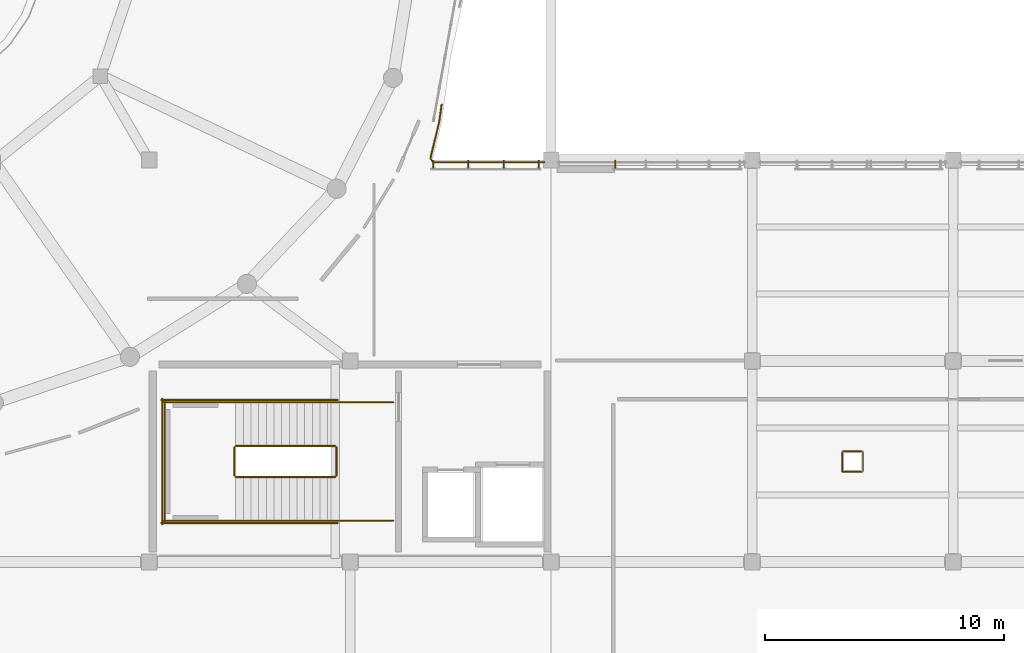
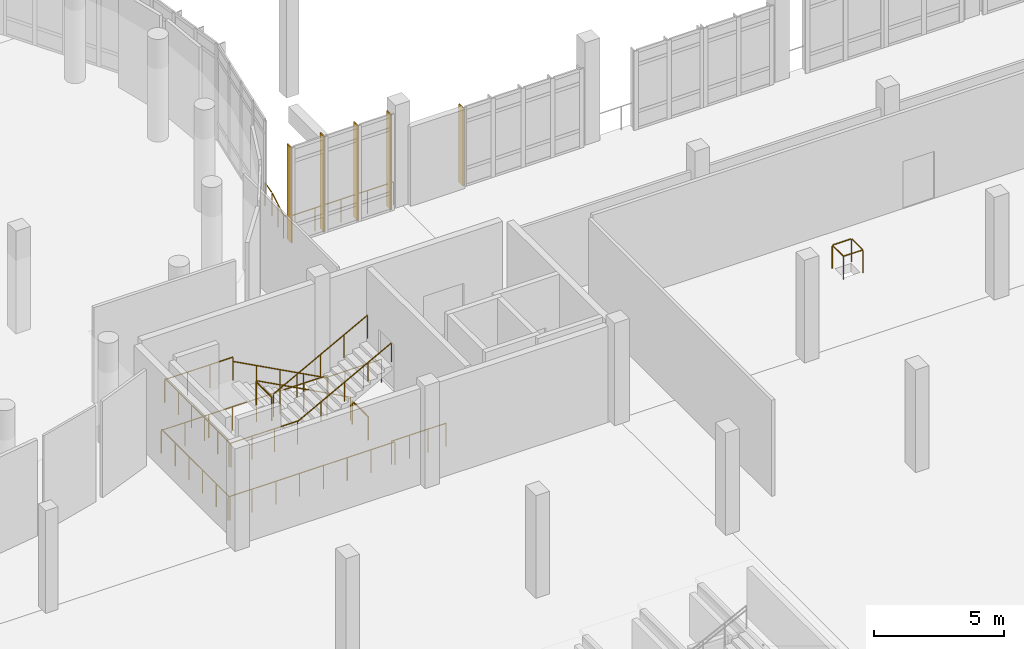
# One storey, part 53 of 63: 16 railings, 5 shading devices.
"""IFC4 building model written with IfcOpenShell, lengths in metres."""

from ifc_helpers import new_model, si_unit, derived_unit, direction, frame, origin, origin_2d, place, context, subcontext, project, spatial, rectangle, circle, extrude, material, type_object, element, save


model = new_model("IFC4")

# Units and contexts
model_context = context("Model", 3, precision=1e-05, world=origin(), true_north=direction((0.0, 1.0)))
body_context = subcontext(model_context, "Body", "Model", "MODEL_VIEW")
ifc_project = project(units=[si_unit("LENGTHUNIT", "METRE"), si_unit("AREAUNIT", "SQUARE_METRE"), si_unit("VOLUMEUNIT", "CUBIC_METRE"), si_unit("PLANEANGLEUNIT", "RADIAN"), si_unit("MASSUNIT", "GRAM", prefix="KILO"), derived_unit("THERMALTRANSMITTANCEUNIT", [(si_unit("POWERUNIT", "WATT"), 1), (si_unit("LENGTHUNIT", "METRE"), -2), (si_unit("THERMODYNAMICTEMPERATUREUNIT", "KELVIN"), -1)])], contexts=[model_context])

# Site, building, storey
site_placement = place(None, origin())
site = spatial("IfcSite", under=ifc_project, at=site_placement, CompositionType="ELEMENT")
building_placement = place(site_placement, origin())
building = spatial("IfcBuilding", under=site, at=building_placement, Name="Elbkamm Science Centre", CompositionType="ELEMENT")
storey_placement = place(building_placement, frame((0.0, 0.0, 5.10009765625)))
storey = spatial("IfcBuildingStorey", under=building, at=storey_placement, Name="L01", CompositionType="ELEMENT", Elevation=5.10009765625)

# Railings
ifc_material_1 = material(Name="Stainless steel EN 1.4401", Category="steel")
railing_type_1 = type_object("IfcRailingType", Name="RAIL-EXT-GUARD-1100", PredefinedType="GUARDRAIL", material=ifc_material_1)
railing_1_placement = place(storey_placement, frame((87.826416015625, 61.1162109375, 0.0)))
element("IfcRailing", 1, at=railing_1_placement, inside=storey, type_object=railing_type_1, Name="L01 Slab Edge Perimeter Guard 019", PredefinedType="GUARDRAIL", context=body_context, shape_type="SweptSolid", body=[
    extrude(circle(Radius=0.02392578125, at=origin_2d()), frame((0.0, 0.0, 1.078125), z_axis=(-0.138453374515, -0.99036895301, 0.0), x_axis=(0.99036895301, -0.138453374515, 0.0)), (0.0, 0.0, 1.0), 0.68408203125),
    extrude(circle(Radius=0.02392578125, at=origin_2d()), frame((-0.10595703125, -0.736328125, 1.078125), z_axis=(-0.234237744318, -0.97217934515, 0.0), x_axis=(0.97217934515, -0.234237744318, 0.0)), (0.0, 0.0, 1.0), 1.52001953125),
    extrude(circle(Radius=0.02392578125, at=origin_2d()), frame((-0.4521484375, -2.268310546875, 1.078125), z_axis=(0.559553272362, -0.828794386678, 0.0), x_axis=(0.828794386678, 0.559553272362, 0.0)), (0.0, 0.0, 1.0), 0.1484375),
    extrude(circle(Radius=0.02392578125, at=origin_2d()), frame((-0.322265625, -2.416259765625, 1.078125), z_axis=(1.0, 0.0, 0.0), x_axis=(0.0, 1.0, 0.0)), (0.0, 0.0, 1.0), 4.615966796875),
    extrude(circle(Radius=0.02001953125, at=origin_2d()), origin(), (0.0, 0.0, 1.0), 1.048095703125),
    extrude(circle(Radius=0.02001953125, at=origin_2d()), frame((-0.098876953125, -0.707275390625, 0.0)), (0.0, 0.0, 1.0), 1.048095703125),
    extrude(circle(Radius=0.02001953125, at=origin_2d()), frame((-0.283935546875, -1.475341796875, 0.0)), (0.0, 0.0, 1.0), 1.048095703125),
    extrude(circle(Radius=0.02001953125, at=origin_2d()), frame((-0.468994140625, -2.243408203125, 0.0)), (0.0, 0.0, 1.0), 1.048095703125),
    extrude(circle(Radius=0.02001953125, at=origin_2d()), frame((-0.352294921875, -2.416259765625, 0.0)), (0.0, 0.0, 1.0), 1.048095703125),
    extrude(circle(Radius=0.02001953125, at=origin_2d()), frame((0.80908203125, -2.416259765625, 0.0)), (0.0, 0.0, 1.0), 1.048095703125),
    extrude(circle(Radius=0.02001953125, at=origin_2d()), frame((1.970703125, -2.416259765625, 0.0)), (0.0, 0.0, 1.0), 1.048095703125),
    extrude(circle(Radius=0.02001953125, at=origin_2d()), frame((3.13232421875, -2.416259765625, 0.0)), (0.0, 0.0, 1.0), 1.048095703125),
    extrude(circle(Radius=0.02001953125, at=origin_2d()), frame((4.293701171875, -2.416259765625, 0.0)), (0.0, 0.0, 1.0), 1.048095703125),
])
railing_type_2 = type_object("IfcRailingType", Name="RAIL-GUARD-1100", PredefinedType="GUARDRAIL", material=ifc_material_1)
railing_2_placement = place(storey_placement, frame((83.3798828125, 46.85009765625, 0.17138671875)))
element("IfcRailing", 2, at=railing_2_placement, inside=storey, type_object=railing_type_2, Name="L01 ST-C2 stair guard 1", PredefinedType="GUARDRAIL", context=body_context, shape_type="SweptSolid", body=[
    extrude(circle(Radius=0.02392578125, at=origin_2d()), frame((0.0, 0.0, 1.078125), z_axis=(-0.881480739103, 0.0, 0.472219976908), x_axis=(0.0, -1.0, 0.0)), (0.0, 0.0, 1.0), 4.71923828125),
    extrude(circle(Radius=0.02001953125, at=origin_2d()), origin(), (0.0, 0.0, 1.0), 1.048095703125),
    extrude(circle(Radius=0.02001953125, at=origin_2d()), frame((-1.0400390625, 0.0, 0.55712890625)), (0.0, 0.0, 1.0), 1.048095703125),
    extrude(circle(Radius=0.02001953125, at=origin_2d()), frame((-2.080078125, 0.0, 1.1142578125)), (0.0, 0.0, 1.0), 1.048095703125),
    extrude(circle(Radius=0.02001953125, at=origin_2d()), frame((-3.119873046875, 0.0, 1.67138671875)), (0.0, 0.0, 1.0), 1.048095703125),
    extrude(circle(Radius=0.02001953125, at=origin_2d()), frame((-4.159912109375, 0.0, 2.228515625)), (0.0, 0.0, 1.0), 1.048095703125),
])
railing_3_placement = place(storey_placement, frame((79.169921875, 46.800048828125, 2.39990234375)))
element("IfcRailing", 3, at=railing_3_placement, inside=storey, type_object=railing_type_2, Name="L01 ST-C2 stair guard 2", PredefinedType="GUARDRAIL", context=body_context, shape_type="SweptSolid", body=[
    extrude(circle(Radius=0.02392578125, at=origin_2d()), frame((0.0, 0.0, 1.078125), z_axis=(0.0, -1.0, 0.0), x_axis=(1.0, 0.0, 0.0)), (0.0, 0.0, 1.0), 1.199951171875),
    extrude(circle(Radius=0.02001953125, at=origin_2d()), origin(), (0.0, 0.0, 1.0), 1.048095703125),
    extrude(circle(Radius=0.02001953125, at=origin_2d()), frame((0.0, -1.199951171875, 0.0)), (0.0, 0.0, 1.0), 1.048095703125),
])
for number, where, name in (
    (4, (79.219970703125, 48.669921875, 2.39990234375), "L01 ST-C2 stair guard 3"),
    (5, (79.219970703125, 43.72998046875, 2.39990234375), "L01 ST-C2 stair guard 4"),
):
    element("IfcRailing", number, at=place(storey_placement, frame(where)), inside=storey, type_object=railing_type_2, Name=name, PredefinedType="GUARDRAIL", context=body_context, shape_type="SweptSolid", body=[
        extrude(circle(Radius=0.02392578125, at=origin_2d()), frame((0.0, 0.0, 1.078125), z_axis=(-1.0, 0.0, 0.0), x_axis=(0.0, -1.0, 0.0)), (0.0, 0.0, 1.0), 3.02001953125),
        extrude(circle(Radius=0.02001953125, at=origin_2d()), origin(), (0.0, 0.0, 1.0), 1.048095703125),
        extrude(circle(Radius=0.02001953125, at=origin_2d()), frame((-1.006591796875, 0.0, 0.0)), (0.0, 0.0, 1.0), 1.048095703125),
        extrude(circle(Radius=0.02001953125, at=origin_2d()), frame((-2.013427734375, 0.0, 0.0)), (0.0, 0.0, 1.0), 1.048095703125),
        extrude(circle(Radius=0.02001953125, at=origin_2d()), frame((-3.02001953125, 0.0, 0.0)), (0.0, 0.0, 1.0), 1.048095703125),
    ])
railing_4_placement = place(storey_placement, frame((76.25, 48.719970703125, 2.39990234375)))
element("IfcRailing", 6, at=railing_4_placement, inside=storey, type_object=railing_type_2, Name="L01 ST-C2 stair guard 5", PredefinedType="GUARDRAIL", context=body_context, shape_type="SweptSolid", body=[
    extrude(circle(Radius=0.02392578125, at=origin_2d()), frame((0.0, 0.0, 1.078125), z_axis=(0.0, -1.0, 0.0), x_axis=(1.0, 0.0, 0.0)), (0.0, 0.0, 1.0), 5.0400390625),
    extrude(circle(Radius=0.02001953125, at=origin_2d()), origin(), (0.0, 0.0, 1.0), 1.048095703125),
    extrude(circle(Radius=0.02001953125, at=origin_2d()), frame((0.0, -1.008056640625, 0.0)), (0.0, 0.0, 1.0), 1.048095703125),
    extrude(circle(Radius=0.02001953125, at=origin_2d()), frame((0.0, -2.01611328125, 0.0)), (0.0, 0.0, 1.0), 1.048095703125),
    extrude(circle(Radius=0.02001953125, at=origin_2d()), frame((0.0, -3.02392578125, 0.0)), (0.0, 0.0, 1.0), 1.048095703125),
    extrude(circle(Radius=0.02001953125, at=origin_2d()), frame((0.0, -4.031982421875, 0.0)), (0.0, 0.0, 1.0), 1.048095703125),
    extrude(circle(Radius=0.02001953125, at=origin_2d()), frame((0.0, -5.0400390625, 0.0)), (0.0, 0.0, 1.0), 1.048095703125),
])
railing_5_placement = place(storey_placement, frame((79.219970703125, 45.550048828125, 2.5712890625)))
element("IfcRailing", 7, at=railing_5_placement, inside=storey, type_object=railing_type_2, Name="L01 ST-C2 stair guard 6", PredefinedType="GUARDRAIL", context=body_context, shape_type="SweptSolid", body=[
    extrude(circle(Radius=0.02392578125, at=origin_2d()), frame((0.0, 0.0, 1.078125), z_axis=(0.881480739103, 0.0, 0.472219976908), x_axis=(0.0, 1.0, 0.0)), (0.0, 0.0, 1.0), 4.71923828125),
    extrude(circle(Radius=0.02001953125, at=origin_2d()), origin(), (0.0, 0.0, 1.0), 1.048095703125),
    extrude(circle(Radius=0.02001953125, at=origin_2d()), frame((1.0400390625, 0.0, 0.55712890625)), (0.0, 0.0, 1.0), 1.048095703125),
    extrude(circle(Radius=0.02001953125, at=origin_2d()), frame((2.080078125, 0.0, 1.1142578125)), (0.0, 0.0, 1.0), 1.048095703125),
    extrude(circle(Radius=0.02001953125, at=origin_2d()), frame((3.119873046875, 0.0, 1.67138671875)), (0.0, 0.0, 1.0), 1.048095703125),
    extrude(circle(Radius=0.02001953125, at=origin_2d()), frame((4.159912109375, 0.0, 2.228515625)), (0.0, 0.0, 1.0), 1.048095703125),
])
railing_6_placement = place(storey_placement, frame((83.429931640625, 46.800048828125, 0.0)))
element("IfcRailing", 8, at=railing_6_placement, inside=storey, type_object=railing_type_2, Name="L01 ST-C2 stair guard 7", PredefinedType="GUARDRAIL", context=body_context, shape_type="SweptSolid", body=[
    extrude(circle(Radius=0.02392578125, at=origin_2d()), frame((0.0, 0.0, 1.078125), z_axis=(0.0, -1.0, 0.0), x_axis=(1.0, 0.0, 0.0)), (0.0, 0.0, 1.0), 1.199951171875),
    extrude(circle(Radius=0.02001953125, at=origin_2d()), origin(), (0.0, 0.0, 1.0), 1.048095703125),
    extrude(circle(Radius=0.02001953125, at=origin_2d()), frame((0.0, -1.199951171875, 0.0)), (0.0, 0.0, 1.0), 1.048095703125),
])
for number, where, name in (
    (9, (85.800048828125, 48.669921875, 0.0), "L01 ST-C2 stair guard 8"),
    (10, (85.800048828125, 43.72998046875, 0.0), "L01 ST-C2 stair guard 9"),
):
    element("IfcRailing", number, at=place(storey_placement, frame(where)), inside=storey, type_object=railing_type_2, Name=name, PredefinedType="GUARDRAIL", context=body_context, shape_type="SweptSolid", body=[
        extrude(circle(Radius=0.02392578125, at=origin_2d()), frame((0.0, 0.0, 1.078125), z_axis=(-1.0, 0.0, 0.0), x_axis=(0.0, -1.0, 0.0)), (0.0, 0.0, 1.0), 2.420166015625),
        extrude(circle(Radius=0.02001953125, at=origin_2d()), origin(), (0.0, 0.0, 1.0), 1.048095703125),
        extrude(circle(Radius=0.02001953125, at=origin_2d()), frame((-0.806640625, 0.0, 0.0)), (0.0, 0.0, 1.0), 1.048095703125),
        extrude(circle(Radius=0.02001953125, at=origin_2d()), frame((-1.613525390625, 0.0, 0.0)), (0.0, 0.0, 1.0), 1.048095703125),
        extrude(circle(Radius=0.02001953125, at=origin_2d()), frame((-2.420166015625, 0.0, 0.0)), (0.0, 0.0, 1.0), 1.048095703125),
    ])
for number, where, name in (
    (11, (83.47998046875, 48.77001953125, 0.0), "L01 ST-C2 stair guard 10"),
    (12, (83.47998046875, 43.6298828125, 0.0), "L01 ST-C2 stair guard 11"),
):
    element("IfcRailing", number, at=place(storey_placement, frame(where)), inside=storey, type_object=railing_type_2, Name=name, PredefinedType="GUARDRAIL", context=body_context, shape_type="SweptSolid", body=[
        extrude(circle(Radius=0.02392578125, at=origin_2d()), frame((0.0, 0.0, 1.078125), z_axis=(-1.0, 0.0, 0.0), x_axis=(0.0, -1.0, 0.0)), (0.0, 0.0, 1.0), 7.3798828125),
        extrude(circle(Radius=0.02001953125, at=origin_2d()), origin(), (0.0, 0.0, 1.0), 1.048095703125),
        extrude(circle(Radius=0.02001953125, at=origin_2d()), frame((-1.05419921875, 0.0, 0.0)), (0.0, 0.0, 1.0), 1.048095703125),
        extrude(circle(Radius=0.02001953125, at=origin_2d()), frame((-2.108642578125, 0.0, 0.0)), (0.0, 0.0, 1.0), 1.048095703125),
        extrude(circle(Radius=0.02001953125, at=origin_2d()), frame((-3.162841796875, 0.0, 0.0)), (0.0, 0.0, 1.0), 1.048095703125),
        extrude(circle(Radius=0.02001953125, at=origin_2d()), frame((-4.217041015625, 0.0, 0.0)), (0.0, 0.0, 1.0), 1.048095703125),
        extrude(circle(Radius=0.02001953125, at=origin_2d()), frame((-5.271240234375, 0.0, 0.0)), (0.0, 0.0, 1.0), 1.048095703125),
        extrude(circle(Radius=0.02001953125, at=origin_2d()), frame((-6.32568359375, 0.0, 0.0)), (0.0, 0.0, 1.0), 1.048095703125),
        extrude(circle(Radius=0.02001953125, at=origin_2d()), frame((-7.3798828125, 0.0, 0.0)), (0.0, 0.0, 1.0), 1.048095703125),
    ])
railing_7_placement = place(storey_placement, frame((76.14990234375, 48.820068359375, 0.0)))
element("IfcRailing", 13, at=railing_7_placement, inside=storey, type_object=railing_type_2, Name="L01 ST-C2 stair guard 12", PredefinedType="GUARDRAIL", context=body_context, shape_type="SweptSolid", body=[
    extrude(circle(Radius=0.02392578125, at=origin_2d()), frame((0.0, 0.0, 1.078125), z_axis=(0.0, -1.0, 0.0), x_axis=(1.0, 0.0, 0.0)), (0.0, 0.0, 1.0), 5.239990234375),
    extrude(circle(Radius=0.02001953125, at=origin_2d()), origin(), (0.0, 0.0, 1.0), 1.048095703125),
    extrude(circle(Radius=0.02001953125, at=origin_2d()), frame((0.0, -1.048095703125, 0.0)), (0.0, 0.0, 1.0), 1.048095703125),
    extrude(circle(Radius=0.02001953125, at=origin_2d()), frame((0.0, -2.095947265625, 0.0)), (0.0, 0.0, 1.0), 1.048095703125),
    extrude(circle(Radius=0.02001953125, at=origin_2d()), frame((0.0, -3.14404296875, 0.0)), (0.0, 0.0, 1.0), 1.048095703125),
    extrude(circle(Radius=0.02001953125, at=origin_2d()), frame((0.0, -4.19189453125, 0.0)), (0.0, 0.0, 1.0), 1.048095703125),
    extrude(circle(Radius=0.02001953125, at=origin_2d()), frame((0.0, -5.239990234375, 0.0)), (0.0, 0.0, 1.0), 1.048095703125),
])
railing_8_placement = place(storey_placement, frame((104.570068359375, 45.77001953125, 0.0)))
element("IfcRailing", 14, at=railing_8_placement, inside=storey, type_object=railing_type_2, Name="L01 Service Riser Opening Guardrail 012", PredefinedType="GUARDRAIL", context=body_context, shape_type="SweptSolid", body=[
    extrude(circle(Radius=0.02392578125, at=origin_2d()), frame((0.0, 0.0, 1.078125), z_axis=(1.0, 0.0, 0.0), x_axis=(0.0, 1.0, 0.0)), (0.0, 0.0, 1.0), 0.829833984375),
    extrude(circle(Radius=0.02392578125, at=origin_2d()), frame((0.85986328125, 0.030029296875, 1.078125), z_axis=(0.0, 1.0, 0.0), x_axis=(-1.0, 0.0, 0.0)), (0.0, 0.0, 1.0), 0.7998046875),
    extrude(circle(Radius=0.02392578125, at=origin_2d()), frame((0.829833984375, 0.85986328125, 1.078125), z_axis=(-1.0, 0.0, 0.0), x_axis=(0.0, -1.0, 0.0)), (0.0, 0.0, 1.0), 0.7998046875),
    extrude(circle(Radius=0.02392578125, at=origin_2d()), frame((0.0, 0.829833984375, 1.078125), z_axis=(0.0, -1.0, 0.0), x_axis=(1.0, 0.0, 0.0)), (0.0, 0.0, 1.0), 0.829833984375),
    extrude(circle(Radius=0.02001953125, at=origin_2d()), origin(), (0.0, 0.0, 1.0), 1.048095703125),
    extrude(circle(Radius=0.02001953125, at=origin_2d()), frame((0.85986328125, 0.0, 0.0)), (0.0, 0.0, 1.0), 1.048095703125),
    extrude(circle(Radius=0.02001953125, at=origin_2d()), frame((0.85986328125, 0.85986328125, 0.0)), (0.0, 0.0, 1.0), 1.048095703125),
    extrude(circle(Radius=0.02001953125, at=origin_2d()), frame((0.0, 0.85986328125, 0.0)), (0.0, 0.0, 1.0), 1.048095703125),
])
railing_type_3 = type_object("IfcRailingType", Name="RAIL-HAND-900", PredefinedType="HANDRAIL", material=ifc_material_1)
railing_9_placement = place(storey_placement, frame((83.3798828125, 48.669921875, 0.17138671875)))
element("IfcRailing", 15, at=railing_9_placement, inside=storey, type_object=railing_type_3, Name="L01 ST-C2 stair handrail 1", PredefinedType="HANDRAIL", context=body_context, shape_type="SweptSolid", body=[
    extrude(circle(Radius=0.02392578125, at=origin_2d()), frame((0.0, 0.0, 0.8779296875), z_axis=(-0.881480739103, 0.0, 0.472219976908), x_axis=(0.0, -1.0, 0.0)), (0.0, 0.0, 1.0), 4.71923828125),
    extrude(circle(Radius=0.02001953125, at=origin_2d()), origin(), (0.0, 0.0, 1.0), 0.847900390625),
    extrude(circle(Radius=0.02001953125, at=origin_2d()), frame((-1.0400390625, 0.0, 0.55712890625)), (0.0, 0.0, 1.0), 0.847900390625),
    extrude(circle(Radius=0.02001953125, at=origin_2d()), frame((-2.080078125, 0.0, 1.1142578125)), (0.0, 0.0, 1.0), 0.847900390625),
    extrude(circle(Radius=0.02001953125, at=origin_2d()), frame((-3.119873046875, 0.0, 1.67138671875)), (0.0, 0.0, 1.0), 0.847900390625),
    extrude(circle(Radius=0.02001953125, at=origin_2d()), frame((-4.159912109375, 0.0, 2.228515625)), (0.0, 0.0, 1.0), 0.847900390625),
])
railing_10_placement = place(storey_placement, frame((79.219970703125, 43.72998046875, 2.5712890625)))
element("IfcRailing", 16, at=railing_10_placement, inside=storey, type_object=railing_type_3, Name="L01 ST-C2 stair handrail 2", PredefinedType="HANDRAIL", context=body_context, shape_type="SweptSolid", body=[
    extrude(circle(Radius=0.02392578125, at=origin_2d()), frame((0.0, 0.0, 0.8779296875), z_axis=(0.881480739103, 0.0, 0.472219976908), x_axis=(0.0, 1.0, 0.0)), (0.0, 0.0, 1.0), 4.71923828125),
    extrude(circle(Radius=0.02001953125, at=origin_2d()), origin(), (0.0, 0.0, 1.0), 0.847900390625),
    extrude(circle(Radius=0.02001953125, at=origin_2d()), frame((1.0400390625, 0.0, 0.55712890625)), (0.0, 0.0, 1.0), 0.847900390625),
    extrude(circle(Radius=0.02001953125, at=origin_2d()), frame((2.080078125, 0.0, 1.1142578125)), (0.0, 0.0, 1.0), 0.847900390625),
    extrude(circle(Radius=0.02001953125, at=origin_2d()), frame((3.119873046875, 0.0, 1.67138671875)), (0.0, 0.0, 1.0), 0.847900390625),
    extrude(circle(Radius=0.02001953125, at=origin_2d()), frame((4.159912109375, 0.0, 2.228515625)), (0.0, 0.0, 1.0), 0.847900390625),
])

# Shading devices
ifc_material_2 = material(Name="Terracotta-ochre powder-coated aluminium EN AW-6060", Category="masonry")
shading_device_type = type_object("IfcShadingDeviceType", Name="SHD-LOUVRE-420", PredefinedType="USERDEFINED", material=ifc_material_2)
for number, where, z_axis, x_axis, name in (
    (17, (87.4775390625, 58.614990234375, 0.0), (0.0, 0.0, 1.0), (0.0, 1.0, 0.0), "L01 Brise-Soleil Sunshade Fin 0163"),
    (18, (88.93310546875, 58.614990234375, 0.0), (0.0, 0.0, 1.0), (0.0, 1.0, 0.0), "L01 Brise-Soleil Sunshade Fin 0164"),
    (19, (90.42333984375, 58.614990234375, 0.0), (0.0, 0.0, 1.0), (0.0, 1.0, 0.0), "L01 Brise-Soleil Sunshade Fin 0165"),
    (20, (91.878662109375, 58.614990234375, 0.0), (0.0, 0.0, 1.0), (0.0, 1.0, 0.0), "L01 Brise-Soleil Sunshade Fin 0166"),
):
    element("IfcShadingDevice", number, at=place(storey_placement, frame(where, z_axis=z_axis, x_axis=x_axis)), inside=storey, type_object=shading_device_type, Name=name, ObjectType="LOUVRE", PredefinedType="USERDEFINED", context=body_context, shape_type="SweptSolid", body=[
        extrude(rectangle(XDim=0.35009765625, YDim=0.050048828125, at=origin_2d()), origin(), (0.0, 0.0, 1.0), 4.449951171875),
    ])
shading_device_placement = place(storey_placement, frame((95.0791015625, 58.614990234375, 0.0), z_axis=(0.0, 0.0, 1.0), x_axis=(0.0, 1.0, 0.0)))
element("IfcShadingDevice", 21, at=shading_device_placement, inside=storey, type_object=shading_device_type, Name="L01 Brise-Soleil Sunshade Fin 0167", ObjectType="LOUVRE", PredefinedType="USERDEFINED", context=body_context, shape_type="SweptSolid", body=[
    extrude(rectangle(XDim=0.35009765625, YDim=0.050048828125, at=origin_2d()), origin(), (0.0, 0.0, 1.0), 3.64990234375),
])

save(model, "model.ifc")
